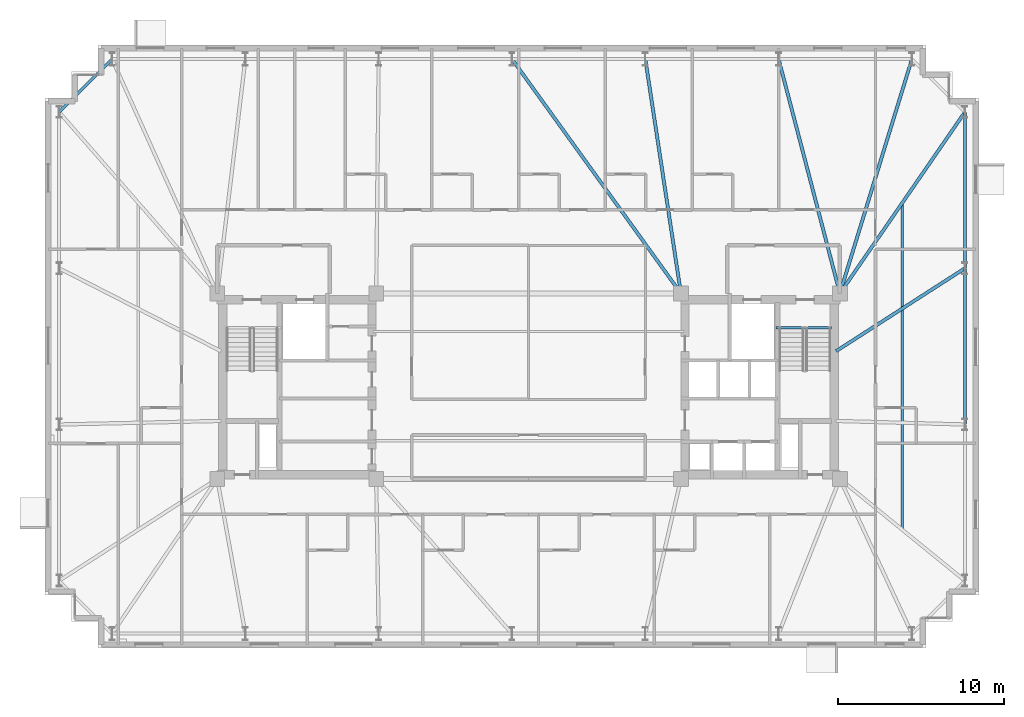
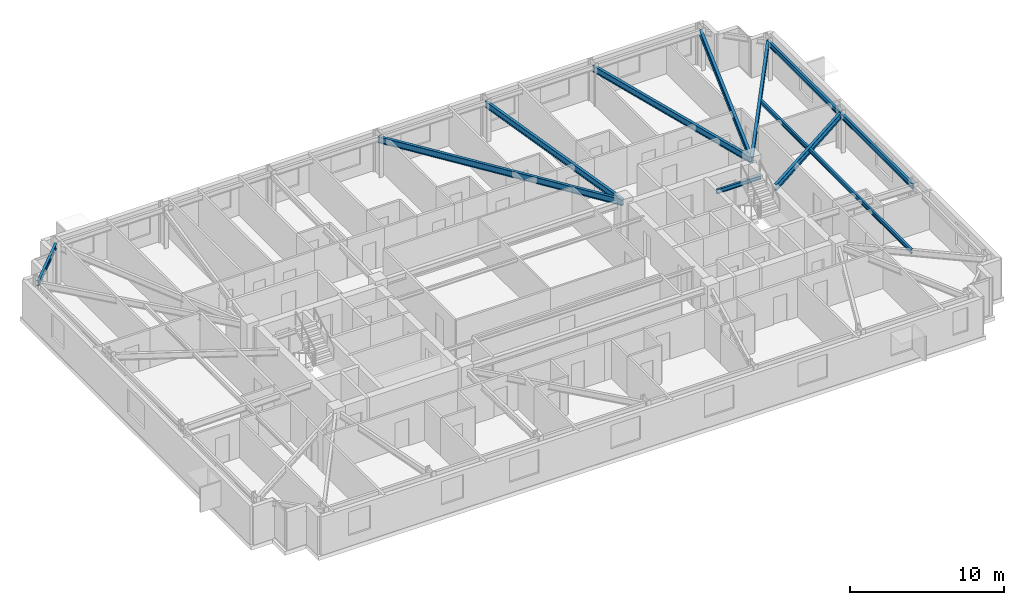
# One storey, part 6 of 17: 11 beams.
"""IFC4 building model written with IfcOpenShell, lengths in metres."""

from ifc_helpers import new_model, si_unit, direction, frame, origin, origin_2d, place, context, subcontext, project, spatial, i_section, extrude, material, material_profile, profile_set, type_object, element, save


model = new_model("IFC4")

# Units and contexts
model_context = context("Model", 3, precision=1e-05, world=origin(), true_north=direction((0.0, 1.0)))
body_context = subcontext(model_context, "Body", "Model", "MODEL_VIEW")
ifc_project = project(units=[si_unit("LENGTHUNIT", "METRE"), si_unit("AREAUNIT", "SQUARE_METRE"), si_unit("VOLUMEUNIT", "CUBIC_METRE"), si_unit("PLANEANGLEUNIT", "RADIAN"), si_unit("MASSUNIT", "GRAM", prefix="KILO")], contexts=[model_context])

# Site, building, storey
site_placement = place(None, origin())
site = spatial("IfcSite", under=ifc_project, at=site_placement, CompositionType="ELEMENT")
building_placement = place(site_placement, origin())
building = spatial("IfcBuilding", under=site, at=building_placement, Name="Qobustan Lattice House", CompositionType="ELEMENT")
storey_placement = place(building_placement, frame((0.0, 0.0, 144.39990234375)))
storey = spatial("IfcBuildingStorey", under=building, at=storey_placement, Name="L40", CompositionType="ELEMENT", Elevation=144.39990234375)

# Beams
ifc_material_1 = material(Name="Steel S355", Category="steel")
ifc_material_profile_1 = material_profile(ifc_material_1, i_section(OverallWidth=0.199951171875, OverallDepth=0.5, WebThickness=0.01025390625, FlangeThickness=0.01611328125, FilletRadius=0.02099609375, at=origin_2d()), Name="IPE500")
ifc_profile_set_1 = profile_set([ifc_material_profile_1], Name="Steel S355")
beam_type_1 = type_object("IfcBeamType", Name="BM-FLG-IPE500", PredefinedType="USERDEFINED", material=ifc_profile_set_1)
beam_1_placement = place(storey_placement, frame((-0.9853515625, 19.729736328125, 2.7900390625), z_axis=(0.584755393146, -0.811209670916, 0.0), x_axis=(0.811209670916, 0.584755393146, 0.0)))
element("IfcBeam", 1, at=beam_1_placement, inside=storey, type_object=beam_type_1, Name="L40 primary floor girder RAD-N4", ObjectType="GIRDER", PredefinedType="USERDEFINED", context=body_context, shape_type="SweptSolid", body=[
    extrude(i_section(OverallWidth=0.199951171875, OverallDepth=0.5, WebThickness=0.01025390625, FlangeThickness=0.01611328125, FilletRadius=0.02099609375, at=origin_2d()), origin(), (0.0, 0.0, 1.0), 17.39306640625),
])
beam_2_placement = place(storey_placement, frame((7.0537109375, 19.725341796875, 2.7900390625), z_axis=(0.150225226731, -0.988651799803, 0.0), x_axis=(0.988651799803, 0.150225226731, 0.0)))
element("IfcBeam", 2, at=beam_2_placement, inside=storey, type_object=beam_type_1, Name="L40 primary floor girder RAD-N3", ObjectType="GIRDER", PredefinedType="USERDEFINED", context=body_context, shape_type="SweptSolid", body=[
    extrude(i_section(OverallWidth=0.199951171875, OverallDepth=0.5, WebThickness=0.01025390625, FlangeThickness=0.01611328125, FilletRadius=0.02099609375, at=origin_2d()), origin(), (0.0, 0.0, 1.0), 14.262451171875),
])
beam_3_placement = place(storey_placement, frame((15.106201171875, 19.725830078125, 2.7900390625), z_axis=(0.252989153576, -0.967469114842, 0.0), x_axis=(0.967469114842, 0.252989153576, 0.0)))
element("IfcBeam", 3, at=beam_3_placement, inside=storey, type_object=beam_type_1, Name="L40 primary floor girder RAD-N2", ObjectType="GIRDER", PredefinedType="USERDEFINED", context=body_context, shape_type="SweptSolid", body=[
    extrude(i_section(OverallWidth=0.199951171875, OverallDepth=0.5, WebThickness=0.01025390625, FlangeThickness=0.01611328125, FilletRadius=0.02099609375, at=origin_2d()), origin(), (0.0, 0.0, 1.0), 14.57568359375),
])
beam_4_placement = place(storey_placement, frame((23.142578125, 19.72607421875, 2.7900390625), z_axis=(-0.293840483469, -0.955854471285, 0.0), x_axis=(0.955854471285, -0.293840483469, 0.0)))
element("IfcBeam", 4, at=beam_4_placement, inside=storey, type_object=beam_type_1, Name="L40 primary floor girder RAD-N1E", ObjectType="GIRDER", PredefinedType="USERDEFINED", context=body_context, shape_type="SweptSolid", body=[
    extrude(i_section(OverallWidth=0.199951171875, OverallDepth=0.5, WebThickness=0.01025390625, FlangeThickness=0.01611328125, FilletRadius=0.02099609375, at=origin_2d()), origin(), (0.0, 0.0, 1.0), 14.753662109375),
])
beam_5_placement = place(storey_placement, frame((26.335693359375, 16.529296875, 2.7900390625), z_axis=(-0.567643395011, -0.82327454479, 0.0), x_axis=(0.82327454479, -0.567643395011, 0.0)))
element("IfcBeam", 5, at=beam_5_placement, inside=storey, type_object=beam_type_1, Name="L40 primary floor girder RAD-E4", ObjectType="GIRDER", PredefinedType="USERDEFINED", context=body_context, shape_type="SweptSolid", body=[
    extrude(i_section(OverallWidth=0.199951171875, OverallDepth=0.5, WebThickness=0.01025390625, FlangeThickness=0.01611328125, FilletRadius=0.02099609375, at=origin_2d()), origin(), (0.0, 0.0, 1.0), 13.25048828125),
])
beam_6_placement = place(storey_placement, frame((26.3291015625, 7.103271484375, 2.7900390625), z_axis=(-0.841058920931, -0.540943519715, 0.0), x_axis=(0.540943519715, -0.841058920931, 0.0)))
element("IfcBeam", 6, at=beam_6_placement, inside=storey, type_object=beam_type_1, Name="L40 primary floor girder RAD-E3", ObjectType="GIRDER", PredefinedType="USERDEFINED", context=body_context, shape_type="SweptSolid", body=[
    extrude(i_section(OverallWidth=0.199951171875, OverallDepth=0.5, WebThickness=0.01025390625, FlangeThickness=0.01611328125, FilletRadius=0.02099609375, at=origin_2d()), origin(), (0.0, 0.0, 1.0), 9.22412109375),
])
ifc_material_2 = material(Name="Steel S355", Category="steel")
ifc_material_profile_2 = material_profile(ifc_material_2, i_section(OverallWidth=0.159912109375, OverallDepth=0.330078125, WebThickness=0.007568359375, FlangeThickness=0.011474609375, FilletRadius=0.01806640625, at=origin_2d()), Name="IPE330")
ifc_profile_set_2 = profile_set([ifc_material_profile_2], Name="Steel S355")
beam_type_2 = type_object("IfcBeamType", Name="BM-SEC-IPE330", PredefinedType="BEAM", material=ifc_profile_set_2)
beam_7_placement = place(storey_placement, frame((22.574951171875, 11.074951171875, 2.875), z_axis=(0.0, -1.0, 0.0), x_axis=(1.0, 0.0, 0.0)))
element("IfcBeam", 7, at=beam_7_placement, inside=storey, type_object=beam_type_2, Name="L40 east wing secondary beam", PredefinedType="BEAM", context=body_context, shape_type="SweptSolid", body=[
    extrude(i_section(OverallWidth=0.159912109375, OverallDepth=0.330078125, WebThickness=0.007568359375, FlangeThickness=0.011474609375, FilletRadius=0.01806640625, at=origin_2d()), origin(), (0.0, 0.0, 1.0), 19.75),
])
ifc_material_3 = material(Name="Steel S355", Category="steel")
ifc_material_profile_3 = material_profile(ifc_material_3, i_section(OverallWidth=0.159912109375, OverallDepth=0.330078125, WebThickness=0.007568359375, FlangeThickness=0.011474609375, FilletRadius=0.01806640625, at=origin_2d()), Name="IPE330")
ifc_profile_set_3 = profile_set([ifc_material_profile_3], Name="Steel S355")
beam_type_3 = type_object("IfcBeamType", Name="BM-SPD-IPE330", PredefinedType="SPANDREL", material=ifc_profile_set_3)
beam_8_placement = place(storey_placement, frame((14.949951171875, 3.52001953125, 2.875), z_axis=(1.0, 0.0, 0.0), x_axis=(0.0, 1.0, 0.0)))
element("IfcBeam", 8, at=beam_8_placement, inside=storey, type_object=beam_type_3, Name="L40 east stair landing trimmer beam", PredefinedType="SPANDREL", context=body_context, shape_type="SweptSolid", body=[
    extrude(i_section(OverallWidth=0.159912109375, OverallDepth=0.330078125, WebThickness=0.007568359375, FlangeThickness=0.011474609375, FilletRadius=0.01806640625, at=origin_2d()), origin(), (0.0, 0.0, 1.0), 3.35009765625),
])
ifc_material_4 = material(Name="Steel S355", Category="steel")
ifc_material_profile_4 = material_profile(ifc_material_4, i_section(OverallWidth=0.179931640625, OverallDepth=0.39990234375, WebThickness=0.008544921875, FlangeThickness=0.013427734375, FilletRadius=0.02099609375, at=origin_2d()), Name="IPE400")
ifc_profile_set_4 = profile_set([ifc_material_profile_4], Name="Steel S355")
beam_type_4 = type_object("IfcBeamType", Name="BM-SPD-IPE400", PredefinedType="SPANDREL", material=ifc_profile_set_4)
beam_9_placement = place(storey_placement, frame((26.35009765625, -2.291748046875, 2.840087890625), z_axis=(0.0, 1.0, 0.0), x_axis=(-1.0, 0.0, 0.0)))
element("IfcBeam", 9, at=beam_9_placement, inside=storey, type_object=beam_type_4, Name="L40 perimeter spandrel E2-E3", PredefinedType="SPANDREL", context=body_context, shape_type="SweptSolid", body=[
    extrude(i_section(OverallWidth=0.179931640625, OverallDepth=0.39990234375, WebThickness=0.008544921875, FlangeThickness=0.013427734375, FilletRadius=0.02099609375, at=origin_2d()), origin(), (0.0, 0.0, 1.0), 9.383544921875),
])
beam_10_placement = place(storey_placement, frame((26.35009765625, 7.1416015625, 2.840087890625), z_axis=(0.0, 1.0, 0.0), x_axis=(-1.0, 0.0, 0.0)))
element("IfcBeam", 10, at=beam_10_placement, inside=storey, type_object=beam_type_4, Name="L40 perimeter spandrel E3-E4", PredefinedType="SPANDREL", context=body_context, shape_type="SweptSolid", body=[
    extrude(i_section(OverallWidth=0.179931640625, OverallDepth=0.39990234375, WebThickness=0.008544921875, FlangeThickness=0.013427734375, FilletRadius=0.02099609375, at=origin_2d()), origin(), (0.0, 0.0, 1.0), 9.38330078125),
])
beam_11_placement = place(storey_placement, frame((-25.167724609375, 19.732421875, 2.840087890625), z_axis=(-0.707079505568, -0.707134055753, 0.0), x_axis=(0.707134055753, -0.707079505568, 0.0)))
element("IfcBeam", 11, at=beam_11_placement, inside=storey, type_object=beam_type_4, Name="L40 perimeter spandrel N7-W1", PredefinedType="SPANDREL", context=body_context, shape_type="SweptSolid", body=[
    extrude(i_section(OverallWidth=0.179931640625, OverallDepth=0.39990234375, WebThickness=0.008544921875, FlangeThickness=0.013427734375, FilletRadius=0.02099609375, at=origin_2d()), origin(), (0.0, 0.0, 1.0), 4.4755859375),
])

save(model, "model.ifc")
